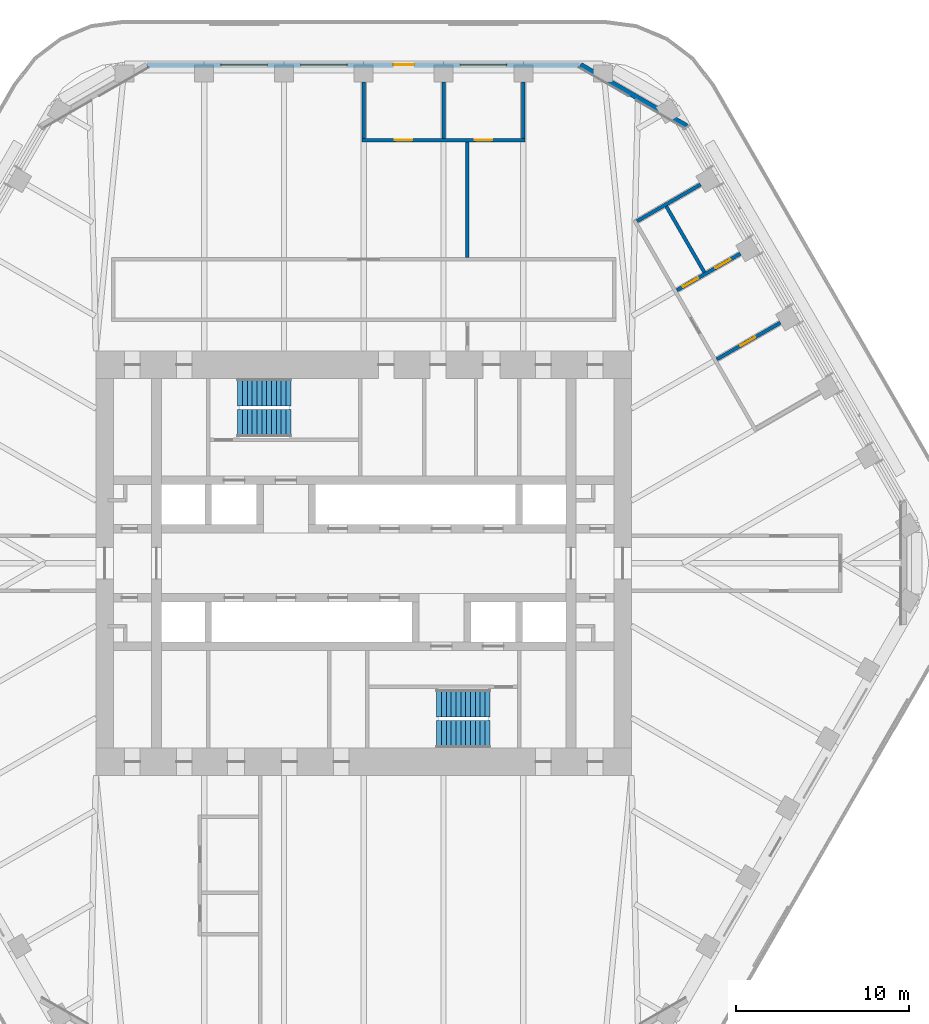
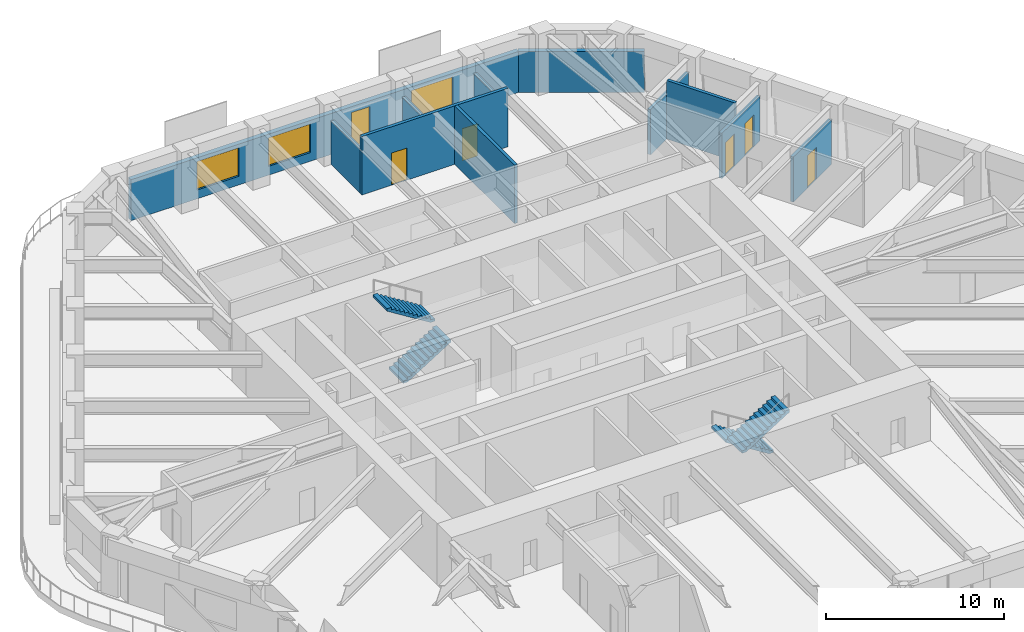
# One storey, part 17 of 20: 11 walls, 6 doors, 4 stair flights, 3 windows, 9 openings, 2 elements without a shape of their own.
"""IFC4 building model written with IfcOpenShell, lengths in metres."""

from ifc_helpers import new_model, si_unit, direction, frame, frame_2d, origin, place, context, subcontext, project, spatial, polyline, rectangle, outline, extrude, material, layer, layer_set, type_object, element, fill, aggregate, save


model = new_model("IFC4")

# Units and contexts
model_context = context("Model", 3, precision=1e-05, world=origin(), true_north=direction((0.0, 1.0)))
body_context = subcontext(model_context, "Body", "Model", "MODEL_VIEW")
ifc_project = project(units=[si_unit("LENGTHUNIT", "METRE"), si_unit("AREAUNIT", "SQUARE_METRE"), si_unit("VOLUMEUNIT", "CUBIC_METRE"), si_unit("PLANEANGLEUNIT", "RADIAN"), si_unit("MASSUNIT", "GRAM", prefix="KILO")], contexts=[model_context])

# Site, building, storey
site_placement = place(None, origin())
site = spatial("IfcSite", under=ifc_project, at=site_placement, CompositionType="ELEMENT")
building_placement = place(site_placement, origin())
building = spatial("IfcBuilding", under=site, at=building_placement, Name="Tarfa Lantern Tower", CompositionType="ELEMENT")
storey_placement = place(building_placement, frame((0.0, 0.0, 291.10009765625)))
storey = spatial("IfcBuildingStorey", under=building, at=storey_placement, Name="L66", CompositionType="ELEMENT", Elevation=291.10009765625)

# Wall
ifc_material_1 = material(Name="Limestone cladding on blockwork", Category="masonry")
ifc_layer_1 = layer(ifc_material_1, 0.300048828125)
ifc_layer_set_1 = layer_set([ifc_layer_1], Name="EW1 STONE-CLAD WALL 300")
wall_type_1 = type_object("IfcWallType", Name="EW1 STONE-CLAD WALL 300", PredefinedType="SOLIDWALL", material=ifc_layer_set_1)
wall_1_placement = place(storey_placement, frame((18.70654296875, 25.299072265625, 0.0), z_axis=(0.0, 0.0, 1.0), x_axis=(-0.866010973379, 0.500024993363, 0.0)))
element("IfcWall", 1, at=wall_1_placement, inside=storey, type_object=wall_type_1, Name="Garden wall NE-N", PredefinedType="SOLIDWALL", context=body_context, shape_type="SweptSolid", body=[
    extrude(rectangle(XDim=7.101806640625, YDim=0.300048828125, at=frame_2d((3.55078125, 0.0))), origin(), (0.0, 0.0, 1.0), 2.7998046875),
])

# Wall, openings, door, windows
wall_2_placement = place(storey_placement, frame((12.556396484375, 28.85009765625, 0.0), z_axis=(0.0, 0.0, 1.0), x_axis=(-1.0, 0.0, 0.0)))
wall_2 = element("IfcWall", 2, at=wall_2_placement, inside=storey, type_object=wall_type_1, Name="Stone wall N", PredefinedType="SOLIDWALL", context=body_context, shape_type="SweptSolid", body=[
    extrude(rectangle(XDim=25.11279296875, YDim=0.300048828125, at=frame_2d((12.556396484375, 0.0))), origin(), (0.0, 0.0, 1.0), 2.7998046875),
])
opening_1_placement = place(wall_2_placement, frame((4.2783203125, 0.0, 0.60009765625)))
opening_1 = element("IfcOpeningElement", 3, at=opening_1_placement, cuts=wall_2, Name="Opening W14", PredefinedType="OPENING", context=body_context, shape_type="SweptSolid", body=[
    extrude(rectangle(XDim=2.699951171875, YDim=1.949951171875, at=frame_2d((1.35009765625, 0.97509765625))), frame((0.0, 0.159912109375, 0.0), z_axis=(0.0, -1.0, 0.0), x_axis=(1.0, 0.0, 0.0)), (0.0, 0.0, 1.0), 0.320068359375),
])
opening_2_placement = place(wall_2_placement, frame((9.64697265625, 0.0, 0.0)))
opening_2 = element("IfcOpeningElement", 4, at=opening_2_placement, cuts=wall_2, Name="Opening D43", PredefinedType="OPENING", context=body_context, shape_type="SweptSolid", body=[
    extrude(rectangle(XDim=1.199951171875, YDim=2.39990234375, at=frame_2d((0.60009765625, 1.199951171875))), frame((0.0, 0.159912109375, 0.0), z_axis=(0.0, -1.0, 0.0), x_axis=(1.0, 0.0, 0.0)), (0.0, 0.0, 1.0), 0.320068359375),
])
opening_3_placement = place(wall_2_placement, frame((13.515869140625, 0.0, 0.60009765625)))
opening_3 = element("IfcOpeningElement", 5, at=opening_3_placement, cuts=wall_2, Name="Opening W14", PredefinedType="OPENING", context=body_context, shape_type="SweptSolid", body=[
    extrude(rectangle(XDim=2.699951171875, YDim=1.949951171875, at=frame_2d((1.35009765625, 0.97509765625))), frame((0.0, 0.159912109375, 0.0), z_axis=(0.0, -1.0, 0.0), x_axis=(1.0, 0.0, 0.0)), (0.0, 0.0, 1.0), 0.320068359375),
])
opening_4_placement = place(wall_2_placement, frame((18.134521484375, 0.0, 0.60009765625)))
opening_4 = element("IfcOpeningElement", 6, at=opening_4_placement, cuts=wall_2, Name="Opening W14", PredefinedType="OPENING", context=body_context, shape_type="SweptSolid", body=[
    extrude(rectangle(XDim=2.699951171875, YDim=1.949951171875, at=frame_2d((1.35009765625, 0.97509765625))), frame((0.0, 0.159912109375, 0.0), z_axis=(0.0, -1.0, 0.0), x_axis=(1.0, 0.0, 0.0)), (0.0, 0.0, 1.0), 0.320068359375),
])
ifc_material_2 = material(Name="Aluminium framed glazed door", Category="aluminium")
door_type_1 = type_object("IfcDoorType", Name="BE3 BALCONY DOOR 1200x2400", OperationType="SINGLE_SWING_RIGHT", PredefinedType="DOOR", material=ifc_material_2)
door_1_placement = place(opening_2_placement, origin())
door_1 = element("IfcDoor", 7, at=door_1_placement, inside=storey, type_object=door_type_1, Name="Balcony door N", OperationType="SINGLE_SWING_RIGHT", OverallHeight=2.39990234375, OverallWidth=1.199951171875, PredefinedType="DOOR", context=body_context, shape_type="SweptSolid", body=[
    extrude(rectangle(XDim=1.199951171875, YDim=2.39990234375, at=frame_2d((0.60009765625, 1.199951171875))), frame((0.0, 0.02490234375, 0.0), z_axis=(0.0, -1.0, 0.0), x_axis=(1.0, 0.0, 0.0)), (0.0, 0.0, 1.0), 0.050048828125),
])
fill(opening_2, door_1)
ifc_material_3 = material(Name="Aluminium frame, double glazed", Category="aluminium")
window_type = type_object("IfcWindowType", Name="W14 FULL-HEIGHT GLAZING 2700x1950", PartitioningType="SINGLE_PANEL", PredefinedType="WINDOW", material=ifc_material_3)
window_1_placement = place(opening_1_placement, origin())
window_1 = element("IfcWindow", 8, at=window_1_placement, inside=storey, type_object=window_type, Name="Window N 2", OverallHeight=1.949951171875, OverallWidth=2.699951171875, PartitioningType="SINGLE_PANEL", PredefinedType="WINDOW", context=body_context, shape_type="SweptSolid", body=[
    extrude(rectangle(XDim=2.699951171875, YDim=1.949951171875, at=frame_2d((1.35009765625, 0.97509765625))), frame((0.0, 0.030029296875, 0.0), z_axis=(0.0, -1.0, 0.0), x_axis=(1.0, 0.0, 0.0)), (0.0, 0.0, 1.0), 0.06005859375),
])
fill(opening_1, window_1)
window_2_placement = place(opening_3_placement, origin())
window_2 = element("IfcWindow", 9, at=window_2_placement, inside=storey, type_object=window_type, Name="Window N 4", OverallHeight=1.949951171875, OverallWidth=2.699951171875, PartitioningType="SINGLE_PANEL", PredefinedType="WINDOW", context=body_context, shape_type="SweptSolid", body=[
    extrude(rectangle(XDim=2.699951171875, YDim=1.949951171875, at=frame_2d((1.35009765625, 0.97509765625))), frame((0.0, 0.030029296875, 0.0), z_axis=(0.0, -1.0, 0.0), x_axis=(1.0, 0.0, 0.0)), (0.0, 0.0, 1.0), 0.06005859375),
])
fill(opening_3, window_2)
window_3_placement = place(opening_4_placement, origin())
window_3 = element("IfcWindow", 10, at=window_3_placement, inside=storey, type_object=window_type, Name="Window N 5", OverallHeight=1.949951171875, OverallWidth=2.699951171875, PartitioningType="SINGLE_PANEL", PredefinedType="WINDOW", context=body_context, shape_type="SweptSolid", body=[
    extrude(rectangle(XDim=2.699951171875, YDim=1.949951171875, at=frame_2d((1.35009765625, 0.97509765625))), frame((0.0, 0.030029296875, 0.0), z_axis=(0.0, -1.0, 0.0), x_axis=(1.0, 0.0, 0.0)), (0.0, 0.0, 1.0), 0.06005859375),
])
fill(opening_4, window_3)

# Wall, openings, doors
ifc_material_4 = material(Name="Gypsum board on steel studs", Category="steel")
ifc_layer_2 = layer(ifc_material_4, 0.2099609375)
ifc_layer_set_2 = layer_set([ifc_layer_2], Name="IW2 ACOUSTIC PARTITION 200")
wall_type_2 = type_object("IfcWallType", Name="IW2 ACOUSTIC PARTITION 200", PredefinedType="PARTITIONING", material=ifc_layer_set_2)
wall_3_placement = place(storey_placement, frame((9.337646484375, 24.5, 0.0), z_axis=(0.0, 0.0, 1.0), x_axis=(-1.0, 0.0, 0.0)))
wall_3 = element("IfcWall", 11, at=wall_3_placement, inside=storey, type_object=wall_type_2, Name="Partition", PredefinedType="PARTITIONING", context=body_context, shape_type="SweptSolid", body=[
    extrude(rectangle(XDim=9.437744140625, YDim=0.199951171875, at=frame_2d((4.71875, 0.0))), origin(), (0.0, 0.0, 1.0), 4.0),
])
opening_5_placement = place(wall_3_placement, frame((1.909423828125, 0.0, 0.0)))
opening_5 = element("IfcOpeningElement", 12, at=opening_5_placement, cuts=wall_3, Name="Opening D27", PredefinedType="OPENING", context=body_context, shape_type="SweptSolid", body=[
    extrude(rectangle(XDim=1.0, YDim=2.199951171875, at=frame_2d((0.5, 1.10009765625))), frame((0.0, 0.10986328125, 0.0), z_axis=(0.0, -1.0, 0.0), x_axis=(1.0, 0.0, 0.0)), (0.0, 0.0, 1.0), 0.219970703125),
])
opening_6_placement = place(wall_3_placement, frame((6.5283203125, 0.0, 0.0)))
opening_6 = element("IfcOpeningElement", 13, at=opening_6_placement, cuts=wall_3, Name="Opening D28", PredefinedType="OPENING", context=body_context, shape_type="SweptSolid", body=[
    extrude(rectangle(XDim=1.0, YDim=2.199951171875, at=frame_2d((0.5, 1.10009765625))), frame((0.0, 0.10986328125, 0.0), z_axis=(0.0, -1.0, 0.0), x_axis=(1.0, 0.0, 0.0)), (0.0, 0.0, 1.0), 0.219970703125),
])
ifc_material_5 = material(Name="Timber door", Category="wood")
door_type_2 = type_object("IfcDoorType", Name="DR1 ROOM DOOR 1000x2200", OperationType="SINGLE_SWING_LEFT", PredefinedType="DOOR", material=ifc_material_5)
door_2_placement = place(opening_5_placement, frame((1.0, 0.0, 0.0), z_axis=(0.0, 0.0, 1.0), x_axis=(-1.0, 0.0, 0.0)))
door_2 = element("IfcDoor", 14, at=door_2_placement, inside=storey, type_object=door_type_2, Name="Office door", OperationType="SINGLE_SWING_LEFT", OverallHeight=2.199951171875, OverallWidth=1.0, PredefinedType="DOOR", context=body_context, shape_type="SweptSolid", body=[
    extrude(rectangle(XDim=1.0, YDim=2.199951171875, at=frame_2d((0.5, 1.10009765625))), frame((0.0, 0.02490234375, 0.0), z_axis=(0.0, -1.0, 0.0), x_axis=(1.0, 0.0, 0.0)), (0.0, 0.0, 1.0), 0.050048828125),
])
fill(opening_5, door_2)
door_3_placement = place(opening_6_placement, frame((1.0, 0.0, 0.0), z_axis=(0.0, 0.0, 1.0), x_axis=(-1.0, 0.0, 0.0)))
door_3 = element("IfcDoor", 15, at=door_3_placement, inside=storey, type_object=door_type_2, Name="Office door", OperationType="SINGLE_SWING_RIGHT", OverallHeight=2.199951171875, OverallWidth=1.0, PredefinedType="DOOR", context=body_context, shape_type="SweptSolid", body=[
    extrude(rectangle(XDim=1.0, YDim=2.199951171875, at=frame_2d((0.5, 1.10009765625))), frame((0.0, 0.02490234375, 0.0), z_axis=(0.0, -1.0, 0.0), x_axis=(1.0, 0.0, 0.0)), (0.0, 0.0, 1.0), 0.050048828125),
])
fill(opening_6, door_3)

# Walls
for number, where, z_axis, x_axis, name in (
    (16, (9.237548828125, 24.60009765625, 0.0), (0.0, 0.0, 1.0), (0.0, 1.0, 0.0), "Partition"),
    (17, (4.618896484375, 24.60009765625, 0.0), (0.0, 0.0, 1.0), (0.0, 1.0, 0.0), "Partition"),
    (18, (0.0, 24.60009765625, 0.0), (0.0, 0.0, 1.0), (0.0, 1.0, 0.0), "Partition"),
):
    element("IfcWall", number, at=place(storey_placement, frame(where, z_axis=z_axis, x_axis=x_axis)), inside=storey, type_object=wall_type_2, Name=name, PredefinedType="PARTITIONING", context=body_context, shape_type="SweptSolid", body=[
        extrude(rectangle(XDim=3.25, YDim=0.199951171875, at=frame_2d((1.625, 0.0))), origin(), (0.0, 0.0, 1.0), 2.99169921875),
    ])

# Wall, opening, door
wall_4_placement = place(storey_placement, frame((20.438232421875, 11.800048828125, 0.0), z_axis=(0.0, 0.0, 1.0), x_axis=(0.866028703517, 0.499994284652, 0.0)))
wall_4 = element("IfcWall", 19, at=wall_4_placement, inside=storey, type_object=wall_type_2, Name="Partition", PredefinedType="PARTITIONING", context=body_context, shape_type="SweptSolid", body=[
    extrude(rectangle(XDim=4.25, YDim=0.199951171875, at=frame_2d((2.125, 0.0))), origin(), (0.0, 0.0, 1.0), 3.08154296875),
])
opening_7_placement = place(wall_4_placement, frame((1.574951171875, 0.0, 0.0)))
opening_7 = element("IfcOpeningElement", 20, at=opening_7_placement, cuts=wall_4, Name="Opening D29", PredefinedType="OPENING", context=body_context, shape_type="SweptSolid", body=[
    extrude(rectangle(XDim=1.0, YDim=2.199951171875, at=frame_2d((0.5, 1.10009765625))), frame((0.0, 0.10986328125, 0.0), z_axis=(0.0, -1.0, 0.0), x_axis=(1.0, 0.0, 0.0)), (0.0, 0.0, 1.0), 0.219970703125),
])
door_4_placement = place(opening_7_placement, frame((1.0, 0.0, 0.0), z_axis=(0.0, 0.0, 1.0), x_axis=(-1.0, 0.0, 0.0)))
door_4 = element("IfcDoor", 21, at=door_4_placement, inside=storey, type_object=door_type_2, Name="Chief strategy officer's office door", OperationType="SINGLE_SWING_LEFT", OverallHeight=2.199951171875, OverallWidth=1.0, PredefinedType="DOOR", context=body_context, shape_type="SweptSolid", body=[
    extrude(rectangle(XDim=1.0, YDim=2.199951171875, at=frame_2d((0.5, 1.10009765625))), frame((0.0, 0.02490234375, 0.0), z_axis=(0.0, -1.0, 0.0), x_axis=(1.0, 0.0, 0.0)), (0.0, 0.0, 1.0), 0.050048828125),
])
fill(opening_7, door_4)

# Wall, openings, doors
wall_5_placement = place(storey_placement, frame((18.12890625, 15.800048828125, 0.0), z_axis=(0.0, 0.0, 1.0), x_axis=(0.866014341725, 0.50001915956, 0.0)))
wall_5 = element("IfcWall", 22, at=wall_5_placement, inside=storey, type_object=wall_type_2, Name="Partition", PredefinedType="PARTITIONING", context=body_context, shape_type="SweptSolid", body=[
    extrude(rectangle(XDim=4.249755859375, YDim=0.199951171875, at=frame_2d((2.125, 0.0))), origin(), (0.0, 0.0, 1.0), 3.08154296875),
])
opening_8_placement = place(wall_5_placement, frame((0.39990234375, 0.0, 0.0)))
opening_8 = element("IfcOpeningElement", 23, at=opening_8_placement, cuts=wall_5, Name="Opening D31", PredefinedType="OPENING", context=body_context, shape_type="SweptSolid", body=[
    extrude(rectangle(XDim=1.0, YDim=2.199951171875, at=frame_2d((0.5, 1.10009765625))), frame((0.0, 0.10986328125, 0.0), z_axis=(0.0, -1.0, 0.0), x_axis=(1.0, 0.0, 0.0)), (0.0, 0.0, 1.0), 0.219970703125),
])
opening_9_placement = place(wall_5_placement, frame((2.574951171875, 0.0, 0.0)))
opening_9 = element("IfcOpeningElement", 24, at=opening_9_placement, cuts=wall_5, Name="Opening D32", PredefinedType="OPENING", context=body_context, shape_type="SweptSolid", body=[
    extrude(rectangle(XDim=1.0, YDim=2.199951171875, at=frame_2d((0.5, 1.10009765625))), frame((0.0, 0.10986328125, 0.0), z_axis=(0.0, -1.0, 0.0), x_axis=(1.0, 0.0, 0.0)), (0.0, 0.0, 1.0), 0.219970703125),
])
door_5_placement = place(opening_8_placement, origin())
door_5 = element("IfcDoor", 25, at=door_5_placement, inside=storey, type_object=door_type_2, Name="Meeting room door", OperationType="SINGLE_SWING_RIGHT", OverallHeight=2.199951171875, OverallWidth=1.0, PredefinedType="DOOR", context=body_context, shape_type="SweptSolid", body=[
    extrude(rectangle(XDim=1.0, YDim=2.199951171875, at=frame_2d((0.5, 1.10009765625))), frame((0.0, 0.02490234375, 0.0), z_axis=(0.0, -1.0, 0.0), x_axis=(1.0, 0.0, 0.0)), (0.0, 0.0, 1.0), 0.050048828125),
])
fill(opening_8, door_5)
door_6_placement = place(opening_9_placement, origin())
door_6 = element("IfcDoor", 26, at=door_6_placement, inside=storey, type_object=door_type_2, Name="Pantry door", OperationType="SINGLE_SWING_RIGHT", OverallHeight=2.199951171875, OverallWidth=1.0, PredefinedType="DOOR", context=body_context, shape_type="SweptSolid", body=[
    extrude(rectangle(XDim=1.0, YDim=2.199951171875, at=frame_2d((0.5, 1.10009765625))), frame((0.0, 0.02490234375, 0.0), z_axis=(0.0, -1.0, 0.0), x_axis=(1.0, 0.0, 0.0)), (0.0, 0.0, 1.0), 0.050048828125),
])
fill(opening_9, door_6)

# Walls
wall_6_placement = place(storey_placement, frame((15.8193359375, 19.800048828125, 0.0), z_axis=(0.0, 0.0, 1.0), x_axis=(0.866028703517, 0.499994284652, 0.0)))
element("IfcWall", 27, at=wall_6_placement, inside=storey, type_object=wall_type_2, Name="Partition", PredefinedType="PARTITIONING", context=body_context, shape_type="SweptSolid", body=[
    extrude(rectangle(XDim=4.25, YDim=0.199951171875, at=frame_2d((2.125, 0.0))), origin(), (0.0, 0.0, 1.0), 3.08154296875),
])
wall_7_placement = place(storey_placement, frame((19.724365234375, 16.836669921875, 0.0), z_axis=(0.0, 0.0, 1.0), x_axis=(-0.500025355245, 0.866010764432, 0.0)))
element("IfcWall", 28, at=wall_7_placement, inside=storey, type_object=wall_type_2, Name="Partition", PredefinedType="PARTITIONING", context=body_context, shape_type="SweptSolid", body=[
    extrude(rectangle(XDim=4.418701171875, YDim=0.199951171875, at=frame_2d((2.20947265625, 0.0))), origin(), (0.0, 0.0, 1.0), 4.0),
])
wall_8_placement = place(storey_placement, frame((6.0, 17.699951171875, 0.0), z_axis=(0.0, 0.0, 1.0), x_axis=(0.0, 1.0, 0.0)))
element("IfcWall", 29, at=wall_8_placement, inside=storey, type_object=wall_type_2, Name="Partition", PredefinedType="PARTITIONING", context=body_context, shape_type="SweptSolid", body=[
    extrude(rectangle(XDim=6.699951171875, YDim=0.199951171875, at=frame_2d((3.35009765625, 0.0))), origin(), (0.0, 0.0, 1.0), 4.0),
])

# Stair, stair flights
ifc_material_6 = material(Name="Concrete C40/50", Category="concrete")
stair_type = type_object("IfcStairType", Name="ST-T10 HALF-TURN STAIR 4200 RISE", PredefinedType="HALF_TURN_STAIR", material=ifc_material_6)
stair_1_placement = place(storey_placement, origin())
stair_1 = element("IfcStair", 30, at=stair_1_placement, inside=storey, type_object=stair_type, Name="Stair ST1", PredefinedType="HALF_TURN_STAIR")
stair_flight_type = type_object("IfcStairFlightType", Name="SF1 STAIR FLIGHT", PredefinedType="STRAIGHT", material=ifc_material_6)
stair_flight_1_placement = place(storey_placement, frame((-7.300048828125, 8.10009765625, 0.0), z_axis=(0.0, 0.0, 1.0), x_axis=(1.0, 0.0, 0.0)))
stair_flight_1 = element("IfcStairFlight", 31, at=stair_flight_1_placement, type_object=stair_flight_type, Name="ST1 flight 1", NumberOfRisers=12, NumberOfTreads=11, PredefinedType="STRAIGHT", RiserHeight=0.175, TreadLength=0.28, context=body_context, shape_type="SweptSolid", body=[
    extrude(outline(polyline([(0.0, 0.0), (0.0, 0.175048828125), (0.280029296875, 0.175048828125), (0.280029296875, 0.35009765625), (0.56005859375, 0.35009765625), (0.56005859375, 0.52490234375), (0.840087890625, 0.52490234375), (0.840087890625, 0.699951171875), (1.1201171875, 0.699951171875), (1.1201171875, 0.875), (1.39990234375, 0.875), (1.39990234375, 1.050048828125), (1.679931640625, 1.050048828125), (1.679931640625, 1.22509765625), (1.9599609375, 1.22509765625), (1.9599609375, 1.39990234375), (2.239990234375, 1.39990234375), (2.239990234375, 1.574951171875), (2.52001953125, 1.574951171875), (2.52001953125, 1.75), (2.800048828125, 1.75), (2.800048828125, 1.925048828125), (3.080078125, 1.925048828125), (3.080078125, 2.10009765625), (3.080078125, 1.748291015625), (0.28271484375, 0.0), (0.0, 0.0)])), frame((0.0, 0.800048828125, 0.0), z_axis=(0.0, -1.0, 0.0), x_axis=(1.0, 0.0, 0.0)), (0.0, 0.0, 1.0), 1.60009765625),
])
stair_flight_2_placement = place(storey_placement, frame((-4.219970703125, 9.89990234375, 2.099853515625), z_axis=(0.0, 0.0, 1.0), x_axis=(-1.0, 0.0, 0.0)))
stair_flight_2 = element("IfcStairFlight", 32, at=stair_flight_2_placement, type_object=stair_flight_type, Name="ST1 flight 2", NumberOfRisers=12, NumberOfTreads=11, PredefinedType="STRAIGHT", RiserHeight=0.175, TreadLength=0.28, context=body_context, shape_type="SweptSolid", body=[
    extrude(outline(polyline([(0.0, 0.0), (0.0, 0.175048828125), (0.280029296875, 0.175048828125), (0.280029296875, 0.35009765625), (0.56005859375, 0.35009765625), (0.56005859375, 0.52490234375), (0.840087890625, 0.52490234375), (0.840087890625, 0.699951171875), (1.1201171875, 0.699951171875), (1.1201171875, 0.875), (1.39990234375, 0.875), (1.39990234375, 1.050048828125), (1.679931640625, 1.050048828125), (1.679931640625, 1.22509765625), (1.9599609375, 1.22509765625), (1.9599609375, 1.39990234375), (2.239990234375, 1.39990234375), (2.239990234375, 1.574951171875), (2.52001953125, 1.574951171875), (2.52001953125, 1.75), (2.800048828125, 1.75), (2.800048828125, 1.925048828125), (3.080078125, 1.925048828125), (3.080078125, 2.10009765625), (3.080078125, 1.748291015625), (0.28271484375, 0.0), (0.0, 0.0)])), frame((0.0, 0.800048828125, 0.0), z_axis=(0.0, -1.0, 0.0), x_axis=(1.0, 0.0, 0.0)), (0.0, 0.0, 1.0), 1.60009765625),
])
aggregate(stair_1, [stair_flight_1, stair_flight_2])

stair_2_placement = place(storey_placement, origin())
stair_2 = element("IfcStair", 33, at=stair_2_placement, inside=storey, type_object=stair_type, Name="Stair ST2", PredefinedType="HALF_TURN_STAIR")
stair_flight_3_placement = place(storey_placement, frame((7.300048828125, -8.10009765625, 0.0), z_axis=(0.0, 0.0, 1.0), x_axis=(-1.0, 0.0, 0.0)))
stair_flight_3 = element("IfcStairFlight", 34, at=stair_flight_3_placement, type_object=stair_flight_type, Name="ST2 flight 1", NumberOfRisers=12, NumberOfTreads=11, PredefinedType="STRAIGHT", RiserHeight=0.175, TreadLength=0.28, context=body_context, shape_type="SweptSolid", body=[
    extrude(outline(polyline([(0.0, 0.0), (0.0, 0.175048828125), (0.280029296875, 0.175048828125), (0.280029296875, 0.35009765625), (0.56005859375, 0.35009765625), (0.56005859375, 0.52490234375), (0.840087890625, 0.52490234375), (0.840087890625, 0.699951171875), (1.1201171875, 0.699951171875), (1.1201171875, 0.875), (1.39990234375, 0.875), (1.39990234375, 1.050048828125), (1.679931640625, 1.050048828125), (1.679931640625, 1.22509765625), (1.9599609375, 1.22509765625), (1.9599609375, 1.39990234375), (2.239990234375, 1.39990234375), (2.239990234375, 1.574951171875), (2.52001953125, 1.574951171875), (2.52001953125, 1.75), (2.800048828125, 1.75), (2.800048828125, 1.925048828125), (3.080078125, 1.925048828125), (3.080078125, 2.10009765625), (3.080078125, 1.748291015625), (0.28271484375, 0.0), (0.0, 0.0)])), frame((0.0, 0.800048828125, 0.0), z_axis=(0.0, -1.0, 0.0), x_axis=(1.0, 0.0, 0.0)), (0.0, 0.0, 1.0), 1.60009765625),
])
stair_flight_4_placement = place(storey_placement, frame((4.219970703125, -9.89990234375, 2.099853515625), z_axis=(0.0, 0.0, 1.0), x_axis=(1.0, 0.0, 0.0)))
stair_flight_4 = element("IfcStairFlight", 35, at=stair_flight_4_placement, type_object=stair_flight_type, Name="ST2 flight 2", NumberOfRisers=12, NumberOfTreads=11, PredefinedType="STRAIGHT", RiserHeight=0.175, TreadLength=0.28, context=body_context, shape_type="SweptSolid", body=[
    extrude(outline(polyline([(0.0, 0.0), (0.0, 0.175048828125), (0.280029296875, 0.175048828125), (0.280029296875, 0.35009765625), (0.56005859375, 0.35009765625), (0.56005859375, 0.52490234375), (0.840087890625, 0.52490234375), (0.840087890625, 0.699951171875), (1.1201171875, 0.699951171875), (1.1201171875, 0.875), (1.39990234375, 0.875), (1.39990234375, 1.050048828125), (1.679931640625, 1.050048828125), (1.679931640625, 1.22509765625), (1.9599609375, 1.22509765625), (1.9599609375, 1.39990234375), (2.239990234375, 1.39990234375), (2.239990234375, 1.574951171875), (2.52001953125, 1.574951171875), (2.52001953125, 1.75), (2.800048828125, 1.75), (2.800048828125, 1.925048828125), (3.080078125, 1.925048828125), (3.080078125, 2.10009765625), (3.080078125, 1.748291015625), (0.28271484375, 0.0), (0.0, 0.0)])), frame((0.0, 0.800048828125, 0.0), z_axis=(0.0, -1.0, 0.0), x_axis=(1.0, 0.0, 0.0)), (0.0, 0.0, 1.0), 1.60009765625),
])
aggregate(stair_2, [stair_flight_3, stair_flight_4])

save(model, "model.ifc")
